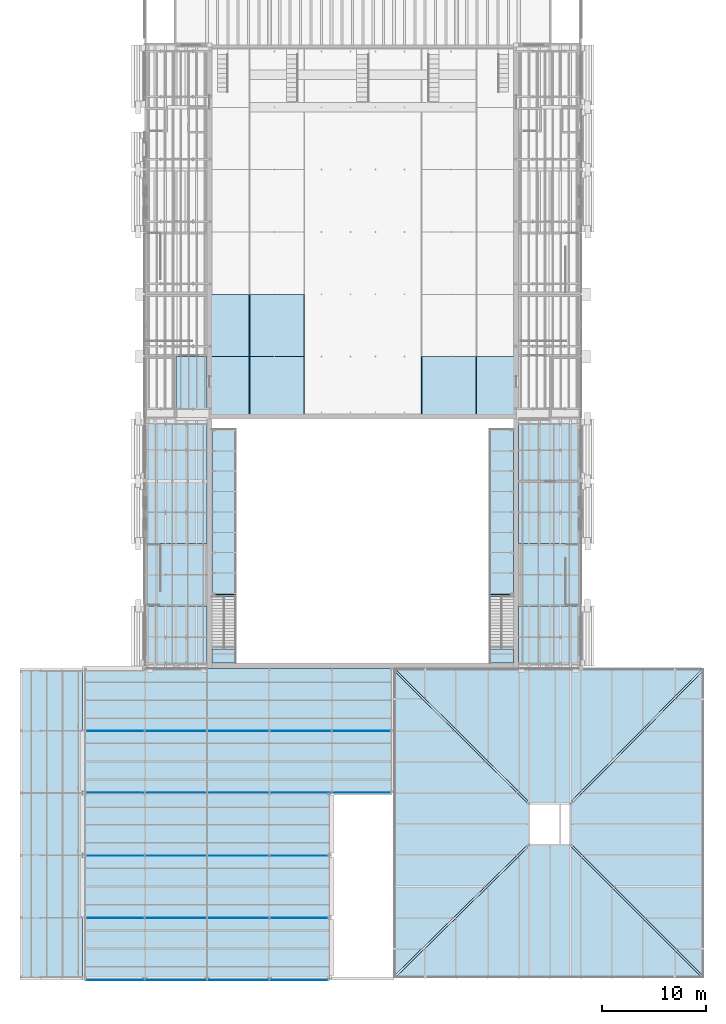
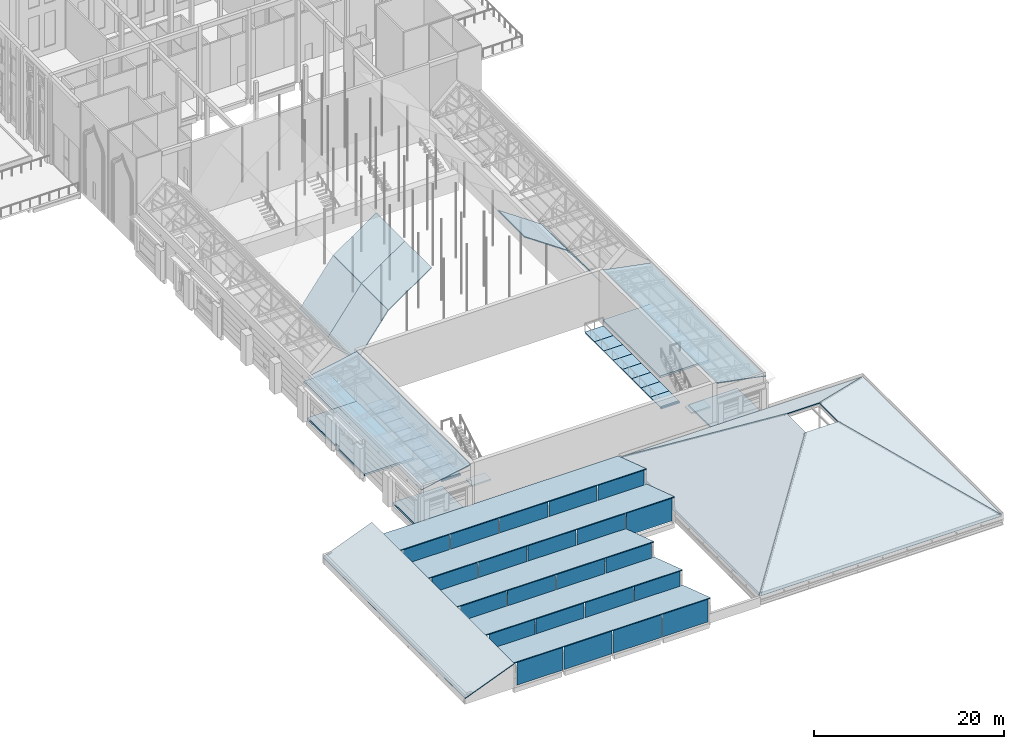
# One storey, part 58 of 118: 43 slabs, 22 plates, 9 elements without a shape of their own.
"""IFC4 building model written with IfcOpenShell, lengths in metres."""

from ifc_helpers import new_model, si_unit, direction, frame, origin, place, context, subcontext, project, spatial, polyline, outline, extrude, material, layer, layer_set, type_object, element, aggregate, save


model = new_model("IFC4")

# Units and contexts
model_context = context("Model", 3, precision=1e-05, world=origin(), true_north=direction((0.0, 1.0)))
body_context = subcontext(model_context, "Body", "Model", "MODEL_VIEW")
ifc_project = project(units=[si_unit("LENGTHUNIT", "METRE"), si_unit("AREAUNIT", "SQUARE_METRE"), si_unit("VOLUMEUNIT", "CUBIC_METRE"), si_unit("PLANEANGLEUNIT", "RADIAN"), si_unit("MASSUNIT", "GRAM", prefix="KILO")], contexts=[model_context])

# Site, building, storey
site_placement = place(None, origin())
site = spatial("IfcSite", under=ifc_project, at=site_placement, CompositionType="ELEMENT")
building_placement = place(site_placement, origin())
building = spatial("IfcBuilding", under=site, at=building_placement, Name="Saffron Lane Theatres", CompositionType="ELEMENT")
storey_placement = place(building_placement, frame((0.0, 0.0, 16.5)))
storey = spatial("IfcBuildingStorey", under=building, at=storey_placement, Name="L03", CompositionType="ELEMENT", Elevation=16.5)

# Slabs
ifc_material_1 = material(Name="Concrete N40 (40 MPa)", Category="concrete")
ifc_layer_1 = layer(ifc_material_1, 0.25)
ifc_layer_set_1 = layer_set([ifc_layer_1], Name="Concrete N40 (40 MPa)")
slab_type_1 = type_object("IfcSlabType", Name="RC-SLAB FLOOR 250", PredefinedType="FLOOR", material=ifc_layer_set_1)
slab_1_placement = place(storey_placement, frame((0.0, 0.0, -0.25)))
element("IfcSlab", 1, at=slab_1_placement, inside=storey, type_object=slab_type_1, Name="slab-L03-AUD-1", PredefinedType="FLOOR", context=body_context, shape_type="SweptSolid", body=[
    extrude(outline(polyline([(15.0, 60.0), (15.0, 54.0), (18.0, 54.0), (18.0, 54.5), (18.0, 60.0), (15.0, 60.0)])), origin(), (0.0, 0.0, 1.0), 0.25),
])
slab_2_placement = place(storey_placement, frame((0.0, 0.0, -0.25)))
element("IfcSlab", 2, at=slab_2_placement, inside=storey, type_object=slab_type_1, Name="slab-L03-STAGE-1", PredefinedType="FLOOR", context=body_context, shape_type="SweptSolid", body=[
    extrude(outline(polyline([(18.0, 36.0), (12.0, 36.0), (12.0, 30.22705078125), (12.22705078125, 30.22705078125), (12.22705078125, 30.0), (18.0, 30.0), (18.0, 36.0)])), origin(), (0.0, 0.0, 1.0), 0.25),
])
slab_3_placement = place(storey_placement, frame((0.0, 0.0, -0.25)))
element("IfcSlab", 3, at=slab_3_placement, inside=storey, type_object=slab_type_1, Name="slab-L03-STAGE-2", PredefinedType="FLOOR", context=body_context, shape_type="SweptSolid", body=[
    extrude(outline(polyline([(53.77294921875, 30.22705078125), (54.0, 30.22705078125), (54.0, 36.0), (48.0, 36.0), (48.0, 30.0), (53.77294921875, 30.0), (53.77294921875, 30.22705078125)])), origin(), (0.0, 0.0, 1.0), 0.25),
])
slab_4_placement = place(storey_placement, frame((0.0, 0.0, -0.25)))
element("IfcSlab", 4, at=slab_4_placement, inside=storey, type_object=slab_type_1, Name="slab-L03-STAGE-3", PredefinedType="FLOOR", context=body_context, shape_type="SweptSolid", body=[
    extrude(outline(polyline([(18.0, 42.0), (18.0, 54.0), (15.0, 54.0), (12.0, 54.0), (12.0, 48.302001953125), (12.22705078125, 48.302001953125), (12.22705078125, 47.697998046875), (12.0, 47.697998046875), (12.0, 42.0), (18.0, 42.0)])), origin(), (0.0, 0.0, 1.0), 0.25),
])
slab_5_placement = place(storey_placement, frame((0.0, 0.0, -0.25)))
element("IfcSlab", 5, at=slab_5_placement, inside=storey, type_object=slab_type_1, Name="slab-L03-STAGE-4", PredefinedType="FLOOR", context=body_context, shape_type="SweptSolid", body=[
    extrude(outline(polyline([(48.0, 42.0), (54.0, 42.0), (54.0, 47.697998046875), (53.77294921875, 47.697998046875), (53.77294921875, 48.302001953125), (54.0, 48.302001953125), (54.0, 54.0), (51.0, 54.0), (48.0, 54.0), (48.0, 42.0)])), origin(), (0.0, 0.0, 1.0), 0.25),
])

# Plates
ifc_material_2 = material(Name="Laminated glass", Category="glass")
ifc_layer_2 = layer(ifc_material_2, 0.030029296875)
ifc_layer_set_2 = layer_set([ifc_layer_2], Name="Laminated glass")
plate_type = type_object("IfcPlateType", Name="ST-CANOPY GLASS", PredefinedType="SHEET", material=ifc_layer_set_2)
plate_1_placement = place(storey_placement, frame((11.9375, 0.0, 0.25), z_axis=(0.0, -1.0, 0.0), x_axis=(0.0, 0.0, 1.0)))
element("IfcPlate", 6, at=plate_1_placement, inside=storey, type_object=plate_type, Name="GBL1-1", PredefinedType="SHEET", context=body_context, shape_type="SweptSolid", body=[
    extrude(outline(polyline([(0.0, 0.0), (2.920654296875, 0.0), (2.920654296875, 5.574951171875), (0.0, 5.574951171875), (0.0, 0.0)])), origin(), (0.0, 0.0, -1.0), 0.030029296875),
])
for number, where, z_axis, x_axis, name in (
    (7, (17.9375, 0.0, 0.25), (0.0, -1.0, 0.0), (0.0, 0.0, 1.0), "GBL1-2"),
    (8, (23.9375, 0.0, 0.25), (0.0, -1.0, 0.0), (0.0, 0.0, 1.0), "GBL1-3"),
):
    element("IfcPlate", number, at=place(storey_placement, frame(where, z_axis=z_axis, x_axis=x_axis)), inside=storey, type_object=plate_type, Name=name, PredefinedType="SHEET", context=body_context, shape_type="SweptSolid", body=[
        extrude(outline(polyline([(0.0, 0.0), (2.920654296875, 0.0), (2.920654296875, 5.875), (0.0, 5.875), (0.0, 0.0)])), origin(), (0.0, 0.0, -1.0), 0.030029296875),
    ])
plate_2_placement = place(storey_placement, frame((29.637451171875, 0.0, 0.25), z_axis=(0.0, -1.0, 0.0), x_axis=(0.0, 0.0, 1.0)))
element("IfcPlate", 9, at=plate_2_placement, inside=storey, type_object=plate_type, Name="GBL1-4", PredefinedType="SHEET", context=body_context, shape_type="SweptSolid", body=[
    extrude(outline(polyline([(0.0, 0.0), (2.920654296875, 0.0), (2.920654296875, 5.574951171875), (0.0, 5.574951171875), (0.0, 0.0)])), origin(), (0.0, 0.0, -1.0), 0.030029296875),
])
plate_3_placement = place(storey_placement, frame((11.9375, 5.9375, 1.231689453125), z_axis=(0.0, -1.0, 0.0), x_axis=(0.0, 0.0, 1.0)))
element("IfcPlate", 10, at=plate_3_placement, inside=storey, type_object=plate_type, Name="GBL2-1", PredefinedType="SHEET", context=body_context, shape_type="SweptSolid", body=[
    extrude(outline(polyline([(0.0, 0.0), (1.93896484375, 0.0), (1.93896484375, 5.574951171875), (0.0, 5.574951171875), (0.0, 0.0)])), origin(), (0.0, 0.0, -1.0), 0.030029296875),
])
for number, where, z_axis, x_axis, name in (
    (11, (17.9375, 5.9375, 1.231689453125), (0.0, -1.0, 0.0), (0.0, 0.0, 1.0), "GBL2-2"),
    (12, (23.9375, 5.9375, 1.231689453125), (0.0, -1.0, 0.0), (0.0, 0.0, 1.0), "GBL2-3"),
):
    element("IfcPlate", number, at=place(storey_placement, frame(where, z_axis=z_axis, x_axis=x_axis)), inside=storey, type_object=plate_type, Name=name, PredefinedType="SHEET", context=body_context, shape_type="SweptSolid", body=[
        extrude(outline(polyline([(0.0, 0.0), (1.93896484375, 0.0), (1.93896484375, 5.875), (0.0, 5.875), (0.0, 0.0)])), origin(), (0.0, 0.0, -1.0), 0.030029296875),
    ])
plate_4_placement = place(storey_placement, frame((29.637451171875, 5.9375, 1.231689453125), z_axis=(0.0, -1.0, 0.0), x_axis=(0.0, 0.0, 1.0)))
element("IfcPlate", 13, at=plate_4_placement, inside=storey, type_object=plate_type, Name="GBL2-4", PredefinedType="SHEET", context=body_context, shape_type="SweptSolid", body=[
    extrude(outline(polyline([(0.0, 0.0), (1.93896484375, 0.0), (1.93896484375, 5.574951171875), (0.0, 5.574951171875), (0.0, 0.0)])), origin(), (0.0, 0.0, -1.0), 0.030029296875),
])
plate_5_placement = place(storey_placement, frame((11.9375, 11.9375, 1.211181640625), z_axis=(0.0, -1.0, 0.0), x_axis=(0.0, 0.0, 1.0)))
element("IfcPlate", 14, at=plate_5_placement, inside=storey, type_object=plate_type, Name="GBL3-1", PredefinedType="SHEET", context=body_context, shape_type="SweptSolid", body=[
    extrude(outline(polyline([(0.0, 0.0), (1.95947265625, 0.0), (1.95947265625, 5.574951171875), (0.0, 5.574951171875), (0.0, 0.0)])), origin(), (0.0, 0.0, -1.0), 0.030029296875),
])
for number, where, z_axis, x_axis, name in (
    (15, (17.9375, 11.9375, 1.211181640625), (0.0, -1.0, 0.0), (0.0, 0.0, 1.0), "GBL3-2"),
    (16, (23.9375, 11.9375, 1.211181640625), (0.0, -1.0, 0.0), (0.0, 0.0, 1.0), "GBL3-3"),
):
    element("IfcPlate", number, at=place(storey_placement, frame(where, z_axis=z_axis, x_axis=x_axis)), inside=storey, type_object=plate_type, Name=name, PredefinedType="SHEET", context=body_context, shape_type="SweptSolid", body=[
        extrude(outline(polyline([(0.0, 0.0), (1.95947265625, 0.0), (1.95947265625, 5.875), (0.0, 5.875), (0.0, 0.0)])), origin(), (0.0, 0.0, -1.0), 0.030029296875),
    ])
plate_6_placement = place(storey_placement, frame((29.637451171875, 11.9375, 1.211181640625), z_axis=(0.0, -1.0, 0.0), x_axis=(0.0, 0.0, 1.0)))
element("IfcPlate", 17, at=plate_6_placement, inside=storey, type_object=plate_type, Name="GBL3-4", PredefinedType="SHEET", context=body_context, shape_type="SweptSolid", body=[
    extrude(outline(polyline([(0.0, 0.0), (1.95947265625, 0.0), (1.95947265625, 5.574951171875), (0.0, 5.574951171875), (0.0, 0.0)])), origin(), (0.0, 0.0, -1.0), 0.030029296875),
])
plate_7_placement = place(storey_placement, frame((11.9375, 18.0, 0.25), z_axis=(0.0, -1.0, 0.0), x_axis=(0.0, 0.0, 1.0)))
element("IfcPlate", 18, at=plate_7_placement, inside=storey, type_object=plate_type, Name="GSL1-1", PredefinedType="SHEET", context=body_context, shape_type="SweptSolid", body=[
    extrude(outline(polyline([(0.0, 0.0), (2.920654296875, 0.0), (2.920654296875, 5.574951171875), (0.0, 5.574951171875), (0.0, 0.0)])), origin(), (0.0, 0.0, -1.0), 0.030029296875),
])
for number, where, z_axis, x_axis, name in (
    (19, (17.9375, 18.0, 0.25), (0.0, -1.0, 0.0), (0.0, 0.0, 1.0), "GSL1-2"),
    (20, (23.9375, 18.0, 0.25), (0.0, -1.0, 0.0), (0.0, 0.0, 1.0), "GSL1-3"),
    (21, (29.9375, 18.0, 0.25), (0.0, -1.0, 0.0), (0.0, 0.0, 1.0), "GSL1-4"),
):
    element("IfcPlate", number, at=place(storey_placement, frame(where, z_axis=z_axis, x_axis=x_axis)), inside=storey, type_object=plate_type, Name=name, PredefinedType="SHEET", context=body_context, shape_type="SweptSolid", body=[
        extrude(outline(polyline([(0.0, 0.0), (2.920654296875, 0.0), (2.920654296875, 5.875), (0.0, 5.875), (0.0, 0.0)])), origin(), (0.0, 0.0, -1.0), 0.030029296875),
    ])
plate_8_placement = place(storey_placement, frame((35.637451171875, 18.0, 0.25), z_axis=(0.0, -1.0, 0.0), x_axis=(0.0, 0.0, 1.0)))
element("IfcPlate", 22, at=plate_8_placement, inside=storey, type_object=plate_type, Name="GSL1-5", PredefinedType="SHEET", context=body_context, shape_type="SweptSolid", body=[
    extrude(outline(polyline([(0.0, 0.0), (2.920654296875, 0.0), (2.920654296875, 5.574951171875), (0.0, 5.574951171875), (0.0, 0.0)])), origin(), (0.0, 0.0, -1.0), 0.030029296875),
])
plate_9_placement = place(storey_placement, frame((11.9375, 23.9375, 1.231689453125), z_axis=(0.0, -1.0, 0.0), x_axis=(0.0, 0.0, 1.0)))
element("IfcPlate", 23, at=plate_9_placement, inside=storey, type_object=plate_type, Name="GSL2-1", PredefinedType="SHEET", context=body_context, shape_type="SweptSolid", body=[
    extrude(outline(polyline([(0.0, 0.0), (1.93896484375, 0.0), (1.93896484375, 5.574951171875), (0.0, 5.574951171875), (0.0, 0.0)])), origin(), (0.0, 0.0, -1.0), 0.030029296875),
])
for number, where, z_axis, x_axis, name in (
    (24, (17.9375, 23.9375, 1.231689453125), (0.0, -1.0, 0.0), (0.0, 0.0, 1.0), "GSL2-2"),
    (25, (23.9375, 23.9375, 1.231689453125), (0.0, -1.0, 0.0), (0.0, 0.0, 1.0), "GSL2-3"),
    (26, (29.9375, 23.9375, 1.231689453125), (0.0, -1.0, 0.0), (0.0, 0.0, 1.0), "GSL2-4"),
):
    element("IfcPlate", number, at=place(storey_placement, frame(where, z_axis=z_axis, x_axis=x_axis)), inside=storey, type_object=plate_type, Name=name, PredefinedType="SHEET", context=body_context, shape_type="SweptSolid", body=[
        extrude(outline(polyline([(0.0, 0.0), (1.93896484375, 0.0), (1.93896484375, 5.875), (0.0, 5.875), (0.0, 0.0)])), origin(), (0.0, 0.0, -1.0), 0.030029296875),
    ])
plate_10_placement = place(storey_placement, frame((35.637451171875, 23.9375, 1.231689453125), z_axis=(0.0, -1.0, 0.0), x_axis=(0.0, 0.0, 1.0)))
element("IfcPlate", 27, at=plate_10_placement, inside=storey, type_object=plate_type, Name="GSL2-5", PredefinedType="SHEET", context=body_context, shape_type="SweptSolid", body=[
    extrude(outline(polyline([(0.0, 0.0), (1.93896484375, 0.0), (1.93896484375, 5.574951171875), (0.0, 5.574951171875), (0.0, 0.0)])), origin(), (0.0, 0.0, -1.0), 0.030029296875),
])

# Slabs
ifc_material_3 = material(Name="Steel Grade 350 chequer plate", Category="steel")
ifc_layer_3 = layer(ifc_material_3, 0.050048828125)
ifc_layer_set_3 = layer_set([ifc_layer_3], Name="Steel Grade 350 chequer plate")
slab_type_2 = type_object("IfcSlabType", Name="ST-GALLERY DECK", PredefinedType="USERDEFINED", material=ifc_layer_set_3)
slab_6_placement = place(storey_placement, frame((0.0, 0.0, -0.050048828125)))
element("IfcSlab", 28, at=slab_6_placement, inside=storey, type_object=slab_type_2, Name="FGW16.5-1", ObjectType="GALLERY", PredefinedType="USERDEFINED", context=body_context, shape_type="SweptSolid", body=[
    extrude(outline(polyline([(18.5, 37.10009765625), (20.800048828125, 37.10009765625), (20.800048828125, 39.16259765625), (18.5, 39.16259765625), (18.5, 37.10009765625)])), origin(), (0.0, 0.0, 1.0), 0.050048828125),
])
slab_7_placement = place(storey_placement, frame((0.0, 0.0, -0.050048828125)))
element("IfcSlab", 29, at=slab_7_placement, inside=storey, type_object=slab_type_2, Name="FGW16.5-2", ObjectType="GALLERY", PredefinedType="USERDEFINED", context=body_context, shape_type="SweptSolid", body=[
    extrude(outline(polyline([(18.5, 39.16259765625), (20.800048828125, 39.16259765625), (20.800048828125, 41.125), (18.5, 41.125), (18.5, 39.16259765625)])), origin(), (0.0, 0.0, 1.0), 0.050048828125),
])
slab_8_placement = place(storey_placement, frame((0.0, 0.0, -0.050048828125)))
element("IfcSlab", 30, at=slab_8_placement, inside=storey, type_object=slab_type_2, Name="FGW16.5-3", ObjectType="GALLERY", PredefinedType="USERDEFINED", context=body_context, shape_type="SweptSolid", body=[
    extrude(outline(polyline([(18.5, 41.125), (20.800048828125, 41.125), (20.800048828125, 43.08740234375), (18.5, 43.08740234375), (18.5, 41.125)])), origin(), (0.0, 0.0, 1.0), 0.050048828125),
])
slab_9_placement = place(storey_placement, frame((0.0, 0.0, -0.050048828125)))
element("IfcSlab", 31, at=slab_9_placement, inside=storey, type_object=slab_type_2, Name="FGW16.5-4", ObjectType="GALLERY", PredefinedType="USERDEFINED", context=body_context, shape_type="SweptSolid", body=[
    extrude(outline(polyline([(18.5, 43.08740234375), (20.800048828125, 43.08740234375), (20.800048828125, 45.050048828125), (18.5, 45.050048828125), (18.5, 43.08740234375)])), origin(), (0.0, 0.0, 1.0), 0.050048828125),
])
slab_10_placement = place(storey_placement, frame((0.0, 0.0, -0.050048828125)))
element("IfcSlab", 32, at=slab_10_placement, inside=storey, type_object=slab_type_2, Name="FGW16.5-5", ObjectType="GALLERY", PredefinedType="USERDEFINED", context=body_context, shape_type="SweptSolid", body=[
    extrude(outline(polyline([(18.5, 45.050048828125), (20.800048828125, 45.050048828125), (20.800048828125, 47.012451171875), (18.5, 47.012451171875), (18.5, 45.050048828125)])), origin(), (0.0, 0.0, 1.0), 0.050048828125),
])
slab_11_placement = place(storey_placement, frame((0.0, 0.0, -0.050048828125)))
element("IfcSlab", 33, at=slab_11_placement, inside=storey, type_object=slab_type_2, Name="FGW16.5-6", ObjectType="GALLERY", PredefinedType="USERDEFINED", context=body_context, shape_type="SweptSolid", body=[
    extrude(outline(polyline([(18.5, 47.012451171875), (20.800048828125, 47.012451171875), (20.800048828125, 48.97509765625), (18.5, 48.97509765625), (18.5, 47.012451171875)])), origin(), (0.0, 0.0, 1.0), 0.050048828125),
])
slab_12_placement = place(storey_placement, frame((0.0, 0.0, -0.050048828125)))
element("IfcSlab", 34, at=slab_12_placement, inside=storey, type_object=slab_type_2, Name="FGW16.5-7", ObjectType="GALLERY", PredefinedType="USERDEFINED", context=body_context, shape_type="SweptSolid", body=[
    extrude(outline(polyline([(18.5, 48.97509765625), (20.800048828125, 48.97509765625), (20.800048828125, 50.9375), (18.5, 50.9375), (18.5, 48.97509765625)])), origin(), (0.0, 0.0, 1.0), 0.050048828125),
])
slab_13_placement = place(storey_placement, frame((0.0, 0.0, -0.050048828125)))
element("IfcSlab", 35, at=slab_13_placement, inside=storey, type_object=slab_type_2, Name="FGW16.5-8", ObjectType="GALLERY", PredefinedType="USERDEFINED", context=body_context, shape_type="SweptSolid", body=[
    extrude(outline(polyline([(18.5, 50.9375), (20.800048828125, 50.9375), (20.800048828125, 53.0), (18.5, 53.0), (18.5, 50.9375)])), origin(), (0.0, 0.0, 1.0), 0.050048828125),
])
slab_14_placement = place(storey_placement, frame((0.0, 0.0, -0.050048828125)))
element("IfcSlab", 36, at=slab_14_placement, inside=storey, type_object=slab_type_2, Name="FGE16.5-1", ObjectType="GALLERY", PredefinedType="USERDEFINED", context=body_context, shape_type="SweptSolid", body=[
    extrude(outline(polyline([(45.199951171875, 37.10009765625), (47.5, 37.10009765625), (47.5, 39.16259765625), (45.199951171875, 39.16259765625), (45.199951171875, 37.10009765625)])), origin(), (0.0, 0.0, 1.0), 0.050048828125),
])
slab_15_placement = place(storey_placement, frame((0.0, 0.0, -0.050048828125)))
element("IfcSlab", 37, at=slab_15_placement, inside=storey, type_object=slab_type_2, Name="FGE16.5-2", ObjectType="GALLERY", PredefinedType="USERDEFINED", context=body_context, shape_type="SweptSolid", body=[
    extrude(outline(polyline([(45.199951171875, 39.16259765625), (47.5, 39.16259765625), (47.5, 41.125), (45.199951171875, 41.125), (45.199951171875, 39.16259765625)])), origin(), (0.0, 0.0, 1.0), 0.050048828125),
])
slab_16_placement = place(storey_placement, frame((0.0, 0.0, -0.050048828125)))
element("IfcSlab", 38, at=slab_16_placement, inside=storey, type_object=slab_type_2, Name="FGE16.5-3", ObjectType="GALLERY", PredefinedType="USERDEFINED", context=body_context, shape_type="SweptSolid", body=[
    extrude(outline(polyline([(45.199951171875, 41.125), (47.5, 41.125), (47.5, 43.08740234375), (45.199951171875, 43.08740234375), (45.199951171875, 41.125)])), origin(), (0.0, 0.0, 1.0), 0.050048828125),
])
slab_17_placement = place(storey_placement, frame((0.0, 0.0, -0.050048828125)))
element("IfcSlab", 39, at=slab_17_placement, inside=storey, type_object=slab_type_2, Name="FGE16.5-4", ObjectType="GALLERY", PredefinedType="USERDEFINED", context=body_context, shape_type="SweptSolid", body=[
    extrude(outline(polyline([(45.199951171875, 43.08740234375), (47.5, 43.08740234375), (47.5, 45.050048828125), (45.199951171875, 45.050048828125), (45.199951171875, 43.08740234375)])), origin(), (0.0, 0.0, 1.0), 0.050048828125),
])
slab_18_placement = place(storey_placement, frame((0.0, 0.0, -0.050048828125)))
element("IfcSlab", 40, at=slab_18_placement, inside=storey, type_object=slab_type_2, Name="FGE16.5-5", ObjectType="GALLERY", PredefinedType="USERDEFINED", context=body_context, shape_type="SweptSolid", body=[
    extrude(outline(polyline([(45.199951171875, 45.050048828125), (47.5, 45.050048828125), (47.5, 47.012451171875), (45.199951171875, 47.012451171875), (45.199951171875, 45.050048828125)])), origin(), (0.0, 0.0, 1.0), 0.050048828125),
])
slab_19_placement = place(storey_placement, frame((0.0, 0.0, -0.050048828125)))
element("IfcSlab", 41, at=slab_19_placement, inside=storey, type_object=slab_type_2, Name="FGE16.5-6", ObjectType="GALLERY", PredefinedType="USERDEFINED", context=body_context, shape_type="SweptSolid", body=[
    extrude(outline(polyline([(45.199951171875, 47.012451171875), (47.5, 47.012451171875), (47.5, 48.97509765625), (45.199951171875, 48.97509765625), (45.199951171875, 47.012451171875)])), origin(), (0.0, 0.0, 1.0), 0.050048828125),
])
slab_20_placement = place(storey_placement, frame((0.0, 0.0, -0.050048828125)))
element("IfcSlab", 42, at=slab_20_placement, inside=storey, type_object=slab_type_2, Name="FGE16.5-7", ObjectType="GALLERY", PredefinedType="USERDEFINED", context=body_context, shape_type="SweptSolid", body=[
    extrude(outline(polyline([(45.199951171875, 48.97509765625), (47.5, 48.97509765625), (47.5, 50.9375), (45.199951171875, 50.9375), (45.199951171875, 48.97509765625)])), origin(), (0.0, 0.0, 1.0), 0.050048828125),
])
slab_21_placement = place(storey_placement, frame((0.0, 0.0, -0.050048828125)))
element("IfcSlab", 43, at=slab_21_placement, inside=storey, type_object=slab_type_2, Name="FGE16.5-8", ObjectType="GALLERY", PredefinedType="USERDEFINED", context=body_context, shape_type="SweptSolid", body=[
    extrude(outline(polyline([(45.199951171875, 50.9375), (47.5, 50.9375), (47.5, 53.0), (45.199951171875, 53.0), (45.199951171875, 50.9375)])), origin(), (0.0, 0.0, 1.0), 0.050048828125),
])
ifc_material_4 = material(Name="Steel Grade 350 chequer plate", Category="steel")
ifc_layer_4 = layer(ifc_material_4, 0.35009765625)
ifc_layer_set_4 = layer_set([ifc_layer_4], Name="Steel Grade 350 chequer plate")
slab_type_3 = type_object("IfcSlabType", Name="ST-GALLERY LANDING PLATE", PredefinedType="USERDEFINED", material=ifc_layer_set_4)
slab_22_placement = place(storey_placement, frame((0.0, 0.0, -0.199951171875)))
element("IfcSlab", 44, at=slab_22_placement, inside=storey, type_object=slab_type_3, Name="FPW16.5", ObjectType="GALLERY", PredefinedType="USERDEFINED", context=body_context, shape_type="SweptSolid", body=[
    extrude(outline(polyline([(18.5, 36.89990234375), (20.800048828125, 36.89990234375), (20.800048828125, 37.10009765625), (18.5, 37.10009765625), (18.5, 36.89990234375)])), origin(), (0.0, 0.0, 1.0), 0.199951171875),
])
slab_23_placement = place(storey_placement, frame((0.0, 0.0, -0.199951171875)))
element("IfcSlab", 45, at=slab_23_placement, inside=storey, type_object=slab_type_3, Name="FPE16.5", ObjectType="GALLERY", PredefinedType="USERDEFINED", context=body_context, shape_type="SweptSolid", body=[
    extrude(outline(polyline([(45.199951171875, 36.89990234375), (47.5, 36.89990234375), (47.5, 37.10009765625), (45.199951171875, 37.10009765625), (45.199951171875, 36.89990234375)])), origin(), (0.0, 0.0, 1.0), 0.199951171875),
])

# Stair, slab
ifc_material_5 = material(Name="Steel Grade 350 stair", Category="steel")
stair_type = type_object("IfcStairType", Name="ST-STEEL STAIR", PredefinedType="HALF_TURN_STAIR", material=ifc_material_5)
stair_1_placement = place(storey_placement, origin())
stair_1 = element("IfcStair", 46, at=stair_1_placement, inside=storey, type_object=stair_type, Name="STG3", PredefinedType="HALF_TURN_STAIR")
ifc_material_6 = material(Name="Steel Grade 350 chequer plate", Category="steel")
ifc_layer_5 = layer(ifc_material_6, 0.35009765625)
ifc_layer_set_5 = layer_set([ifc_layer_5], Name="Steel Grade 350 chequer plate")
slab_type_4 = type_object("IfcSlabType", Name="ST-STAIR LANDING", PredefinedType="LANDING", material=ifc_layer_set_5)
slab_24_placement = place(storey_placement, frame((0.0, 0.0, 3.050048828125)))
slab_24 = element("IfcSlab", 47, at=slab_24_placement, type_object=slab_type_4, Name="STG3 landing 1", PredefinedType="LANDING", context=body_context, shape_type="SweptSolid", body=[
    extrude(outline(polyline([(18.5, 30.5), (20.800048828125, 30.5), (20.800048828125, 31.860107421875), (18.5, 31.860107421875), (18.5, 30.5)])), origin(), (0.0, 0.0, 1.0), 0.199951171875),
])
aggregate(stair_1, [slab_24])

stair_2_placement = place(storey_placement, origin())
stair_2 = element("IfcStair", 48, at=stair_2_placement, inside=storey, type_object=stair_type, Name="STG6", PredefinedType="HALF_TURN_STAIR")
slab_25_placement = place(storey_placement, frame((0.0, 0.0, 3.050048828125)))
slab_25 = element("IfcSlab", 49, at=slab_25_placement, type_object=slab_type_4, Name="STG6 landing 1", PredefinedType="LANDING", context=body_context, shape_type="SweptSolid", body=[
    extrude(outline(polyline([(45.199951171875, 30.5), (47.5, 30.5), (47.5, 31.860107421875), (45.199951171875, 31.860107421875), (45.199951171875, 30.5)])), origin(), (0.0, 0.0, 1.0), 0.199951171875),
])
aggregate(stair_2, [slab_25])

# Roof, slabs
roof_1_placement = place(storey_placement, origin())
roof_1 = element("IfcRoof", 50, at=roof_1_placement, inside=storey, Name="GBR1", ObjectType="SAWTOOTH ROOF", PredefinedType="USERDEFINED")
ifc_material_7 = material(Name="Steel Grade 350 insulated roof deck", Category="steel")
ifc_layer_6 = layer(ifc_material_7, 0.10009765625)
ifc_layer_set_6 = layer_set([ifc_layer_6], Name="Steel Grade 350 insulated roof deck")
slab_type_5 = type_object("IfcSlabType", Name="ST-STUDIO ROOF DECK", PredefinedType="ROOF", material=ifc_layer_set_6)
slab_26_placement = place(storey_placement, frame((6.0, 0.125, 3.170654296875), z_axis=(0.0, 0.313408770413, 0.949618314181), x_axis=(1.0, 0.0, 0.0)))
slab_26 = element("IfcSlab", 51, at=slab_26_placement, type_object=slab_type_5, Name="GBD1", PredefinedType="ROOF", context=body_context, shape_type="SweptSolid", body=[
    extrude(outline(polyline([(0.0, 0.0), (24.0, 0.0), (24.0, 6.186696183367863), (0.0, 6.186696183367863), (0.0, 0.0)])), origin(), (0.0, 0.0, -1.0), 0.10009765625),
])
slab_27_placement = place(storey_placement, frame((6.0, 6.0625, 3.170654296875), z_axis=(0.0, 0.313391539133, 0.94962400096), x_axis=(1.0, 0.0, 0.0)))
slab_27 = element("IfcSlab", 52, at=slab_27_placement, type_object=slab_type_5, Name="GBD2", PredefinedType="ROOF", context=body_context, shape_type="SweptSolid", body=[
    extrude(outline(polyline([(0.0, 0.0), (24.0, 0.0), (24.0, 6.252474657333002), (0.0, 6.252474657333002), (0.0, 0.0)])), origin(), (0.0, 0.0, -1.0), 0.10009765625),
])
slab_28_placement = place(storey_placement, frame((6.0, 12.0625, 3.170654296875), z_axis=(0.0, 0.313391539133, 0.94962400096), x_axis=(1.0, 0.0, 0.0)))
slab_28 = element("IfcSlab", 53, at=slab_28_placement, type_object=slab_type_5, Name="GBD3", PredefinedType="ROOF", context=body_context, shape_type="SweptSolid", body=[
    extrude(outline(polyline([(0.0, 0.0), (24.0, 0.0), (24.0, 6.252474657333002), (0.0, 6.252474657333002), (0.0, 0.0)])), origin(), (0.0, 0.0, -1.0), 0.10009765625),
])
aggregate(roof_1, [slab_26, slab_27, slab_28])

roof_2_placement = place(storey_placement, origin())
roof_2 = element("IfcRoof", 54, at=roof_2_placement, inside=storey, Name="GSR1", ObjectType="SAWTOOTH ROOF", PredefinedType="USERDEFINED")
slab_29_placement = place(storey_placement, frame((6.0, 18.125, 3.170654296875), z_axis=(0.0, 0.313408770413, 0.949618314181), x_axis=(1.0, 0.0, 0.0)))
slab_29 = element("IfcSlab", 55, at=slab_29_placement, type_object=slab_type_5, Name="GSD1", PredefinedType="ROOF", context=body_context, shape_type="SweptSolid", body=[
    extrude(outline(polyline([(0.0, 0.0), (30.0, 0.0), (30.0, 6.186696183367863), (0.0, 6.186696183367863), (0.0, 0.0)])), origin(), (0.0, 0.0, -1.0), 0.10009765625),
])
slab_30_placement = place(storey_placement, frame((6.0, 24.0625, 3.170654296875), z_axis=(0.0, 0.313391539133, 0.94962400096), x_axis=(1.0, 0.0, 0.0)))
slab_30 = element("IfcSlab", 56, at=slab_30_placement, type_object=slab_type_5, Name="GSD2", PredefinedType="ROOF", context=body_context, shape_type="SweptSolid", body=[
    extrude(outline(polyline([(0.0, 0.0), (30.0, 0.0), (30.0, 6.252474657333002), (0.0, 6.252474657333002), (0.0, 0.0)])), origin(), (0.0, 0.0, -1.0), 0.10009765625),
])
aggregate(roof_2, [slab_29, slab_30])

# Roof, slab
roof_3_placement = place(storey_placement, origin())
roof_3 = element("IfcRoof", 57, at=roof_3_placement, inside=storey, Name="GWR1", PredefinedType="SHED_ROOF")
slab_31_placement = place(storey_placement, frame((0.0, 0.0, 0.79345703125), z_axis=(-0.369388369269, 0.0, 0.92927511139), x_axis=(0.92927511139, 0.0, 0.369388369269)))
slab_31 = element("IfcSlab", 58, at=slab_31_placement, type_object=slab_type_5, Name="GWD1", PredefinedType="ROOF", context=body_context, shape_type="SweptSolid", body=[
    extrude(outline(polyline([(0.0, 0.0), (6.456645536354509, 0.0), (6.456645536354509, 30.0), (0.0, 30.0), (0.0, 0.0)])), origin(), (0.0, 0.0, -1.0), 0.10009765625),
])
aggregate(roof_3, [slab_31])

roof_4_placement = place(storey_placement, origin())
roof_4 = element("IfcRoof", 59, at=roof_4_placement, inside=storey, Name="SB3-R1", PredefinedType="SHED_ROOF")
slab_32_placement = place(storey_placement, frame((12.0, 30.0, 5.264404296875), z_axis=(-0.190651552568, 0.0, 0.981657774127), x_axis=(0.981657774127, 0.0, 0.190651552568)))
slab_32 = element("IfcSlab", 60, at=slab_32_placement, type_object=slab_type_5, Name="SB3-D1", PredefinedType="ROOF", context=body_context, shape_type="SweptSolid", body=[
    extrude(outline(polyline([(0.0, 0.0), (6.112109696617467, 0.0), (6.112109696617467, 24.000000000000007), (0.0, 24.000000000000007), (0.0, 0.0)])), origin(), (0.0, 0.0, -1.0), 0.10009765625),
])
aggregate(roof_4, [slab_32])

roof_5_placement = place(storey_placement, origin())
roof_5 = element("IfcRoof", 61, at=roof_5_placement, inside=storey, Name="SB4-R1", PredefinedType="SHED_ROOF")
slab_33_placement = place(storey_placement, frame((54.0, 30.0, 5.264404296875), z_axis=(0.190651552568, 0.0, 0.981657774127), x_axis=(-0.981657774127, 0.0, 0.190651552568)))
slab_33 = element("IfcSlab", 62, at=slab_33_placement, type_object=slab_type_5, Name="SB4-D1", PredefinedType="ROOF", context=body_context, shape_type="SweptSolid", body=[
    extrude(outline(polyline([(0.0, 0.0), (6.112109696617467, 0.0), (6.112109696617467, -24.000000000000007), (0.0, -24.000000000000007), (0.0, 0.0)])), origin(), (0.0, 0.0, -1.0), 0.10009765625),
])
aggregate(roof_5, [slab_33])

# Roof, slabs
roof_6_placement = place(storey_placement, origin())
roof_6 = element("IfcRoof", 63, at=roof_6_placement, inside=storey, Name="SR1", PredefinedType="HIP_ROOF")
slab_34_placement = place(storey_placement, frame((49.070068359375, 12.9287109375, 9.9501953125), z_axis=(-3.648424e-06, -0.572625332387, 0.819817192242), x_axis=(-0.627408217192, 0.638385188114, 0.445896042365)))
slab_34 = element("IfcSlab", 64, at=slab_34_placement, type_object=slab_type_5, Name="SD1", PredefinedType="ROOF", context=body_context, shape_type="SweptSolid", body=[
    extrude(outline(polyline([(0.0, 0.0), (0.11167905905903691, 1.3877787807814457e-17), (-2.3979538097086954, -3.1147620878307327), (-2.4207209781962713, -3.0054952006234137), (-22.340147314626172, -3.1747315812830292), (-3.9158516163156, 19.692078321576847), (0.0, 0.0)])), origin(), (0.0, 0.0, -1.0), 0.10009765625),
])
slab_35_placement = place(storey_placement, frame((49.070556640625, 17.071044921875, 9.950927734375), z_axis=(4.30803e-07, 0.568099218189, 0.822960070898), x_axis=(-0.638384462158, 0.633447057544, -0.437275775414)))
slab_35 = element("IfcSlab", 65, at=slab_35_placement, type_object=slab_type_5, Name="SD2", PredefinedType="ROOF", context=body_context, shape_type="SweptSolid", body=[
    extrude(outline(polyline([(0.0, 0.0), (20.173833908536018, 4.440892098500626e-16), (1.4261218556633959, -22.604630807628716), (-2.4638190753598845, -2.9693155509472344), (-2.574956895273966, -2.969440615593711), (-0.02141904664054929, 0.10943003053510247), (0.0, 0.0)])), origin(), (0.0, 0.0, -1.0), 0.10009765625),
])
slab_36_placement = place(storey_placement, frame((36.050048828125, 0.43994140625, 1.12939453125), z_axis=(-0.565124886633, 3.846539e-06, 0.82500537119), x_axis=(2.173775e-06, 0.999999999993, -3.173416e-06)))
slab_36 = element("IfcSlab", 66, at=slab_36_placement, type_object=slab_type_5, Name="SD3", PredefinedType="ROOF", context=body_context, shape_type="SweptSolid", body=[
    extrude(outline(polyline([(0.0, 0.0), (29.269287109158466, 0.0), (16.489013671944754, -15.611251527253163), (16.560058593791084, -15.696779183461658), (12.560058593820674, -15.696779183461658), (12.631347655860187, -15.611930301793121), (0.0, 0.0)])), origin(), (0.0, 0.0, -1.0), 0.10009765625),
])
slab_37_placement = place(storey_placement, frame((65.699951171875, 0.44140625, 1.12939453125), z_axis=(0.572626570477, 1.829675e-06, 0.819816327466), x_axis=(-0.633990964567, 0.634001126827, 0.442829569959)))
slab_37 = element("IfcSlab", 67, at=slab_37_placement, type_object=slab_type_5, Name="SD4", PredefinedType="ROOF", context=body_context, shape_type="SweptSolid", body=[
    extrude(outline(polyline([(0.0, 0.0), (19.92014524379449, 4.440892098500626e-16), (19.94198328727017, 0.10945636782631096), (22.47798779457687, -2.9838721208516277), (22.36642087614017, -2.984416585382562), (18.554903583580973, -22.632614293229246), (0.0, 0.0)])), origin(), (0.0, 0.0, -1.0), 0.10009765625),
])
aggregate(roof_6, [slab_34, slab_35, slab_36, slab_37])

roof_7_placement = place(storey_placement, origin())
roof_7 = element("IfcRoof", 68, at=roof_7_placement, inside=storey, Name="Barrel vault V1", PredefinedType="BARREL_ROOF")
ifc_material_8 = material(Name="Steel Grade 350 insulated roof deck", Category="steel")
ifc_layer_7 = layer(ifc_material_8, 0.10009765625)
ifc_layer_set_7 = layer_set([ifc_layer_7], Name="Steel Grade 350 insulated roof deck")
slab_type_6 = type_object("IfcSlabType", Name="ST-VAULT DECK", PredefinedType="ROOF", material=ifc_layer_set_7)
slab_38_placement = place(storey_placement, frame((17.9384765625, 54.375, 4.589599609375), z_axis=(-0.802199961545, 0.0, 0.597055459481), x_axis=(0.597055459481, 0.0, 0.802199961545)))
slab_38 = element("IfcSlab", 69, at=slab_38_placement, type_object=slab_type_6, Name="VD1A", PredefinedType="ROOF", context=body_context, shape_type="SweptSolid", body=[
    extrude(outline(polyline([(0.0, 0.0), (6.868015143956255, 0.0), (6.868015143956255, 5.625), (0.0, 5.625), (0.0, 0.0)])), origin(), (0.0, 0.0, -1.0), 0.10009765625),
])
slab_39_placement = place(storey_placement, frame((22.062744140625, 54.375, 10.121826171875), z_axis=(-0.567334607159, 0.0, 0.823487366946), x_axis=(0.823487366946, 0.0, 0.567334607159)))
slab_39 = element("IfcSlab", 70, at=slab_39_placement, type_object=slab_type_6, Name="VD1B", PredefinedType="ROOF", context=body_context, shape_type="SweptSolid", body=[
    extrude(outline(polyline([(0.0, 0.0), (6.388666710987062, 0.0), (6.388666710987062, 5.625), (0.0, 5.625), (0.0, 0.0)])), origin(), (0.0, 0.0, -1.0), 0.10009765625),
])
slab_40_placement = place(storey_placement, frame((38.67626953125, 54.375, 13.746337890625), z_axis=(0.567334607159, 0.0, 0.823487366946), x_axis=(0.823487366946, 0.0, -0.567334607159)))
slab_40 = element("IfcSlab", 71, at=slab_40_placement, type_object=slab_type_6, Name="VD1G", PredefinedType="ROOF", context=body_context, shape_type="SweptSolid", body=[
    extrude(outline(polyline([(0.0, 0.0), (6.388666710987062, 0.0), (6.388666710987062, 5.625), (0.0, 5.625), (0.0, 0.0)])), origin(), (0.0, 0.0, -1.0), 0.10009765625),
])
slab_41_placement = place(storey_placement, frame((43.9609375, 54.375, 10.09912109375), z_axis=(0.802199961545, 0.0, 0.597055459481), x_axis=(0.597055459481, 0.0, -0.802199961545)))
slab_41 = element("IfcSlab", 72, at=slab_41_placement, type_object=slab_type_6, Name="VD1H", PredefinedType="ROOF", context=body_context, shape_type="SweptSolid", body=[
    extrude(outline(polyline([(0.0, 0.0), (6.868015143956255, 0.0), (6.868015143956255, 5.625), (0.0, 5.625), (0.0, 0.0)])), origin(), (0.0, 0.0, -1.0), 0.10009765625),
])
slab_42_placement = place(storey_placement, frame((17.9384765625, 60.0, 4.589599609375), z_axis=(-0.802199961545, 0.0, 0.597055459481), x_axis=(0.597055459481, 0.0, 0.802199961545)))
slab_42 = element("IfcSlab", 73, at=slab_42_placement, type_object=slab_type_6, Name="VD2A", PredefinedType="ROOF", context=body_context, shape_type="SweptSolid", body=[
    extrude(outline(polyline([(0.0, 0.0), (6.868015143956255, 0.0), (6.868015143956255, 5.999999999999999), (0.0, 5.999999999999999), (0.0, 0.0)])), origin(), (0.0, 0.0, -1.0), 0.10009765625),
])
slab_43_placement = place(storey_placement, frame((22.062744140625, 60.0, 10.121826171875), z_axis=(-0.567334607159, 0.0, 0.823487366946), x_axis=(0.823487366946, 0.0, 0.567334607159)))
slab_43 = element("IfcSlab", 74, at=slab_43_placement, type_object=slab_type_6, Name="VD2B", PredefinedType="ROOF", context=body_context, shape_type="SweptSolid", body=[
    extrude(outline(polyline([(0.0, 0.0), (6.388666710987062, 0.0), (6.388666710987062, 6.0), (0.0, 6.0), (0.0, 0.0)])), origin(), (0.0, 0.0, -1.0), 0.10009765625),
])
aggregate(roof_7, [slab_38, slab_39, slab_40, slab_41, slab_42, slab_43])

save(model, "model.ifc")
